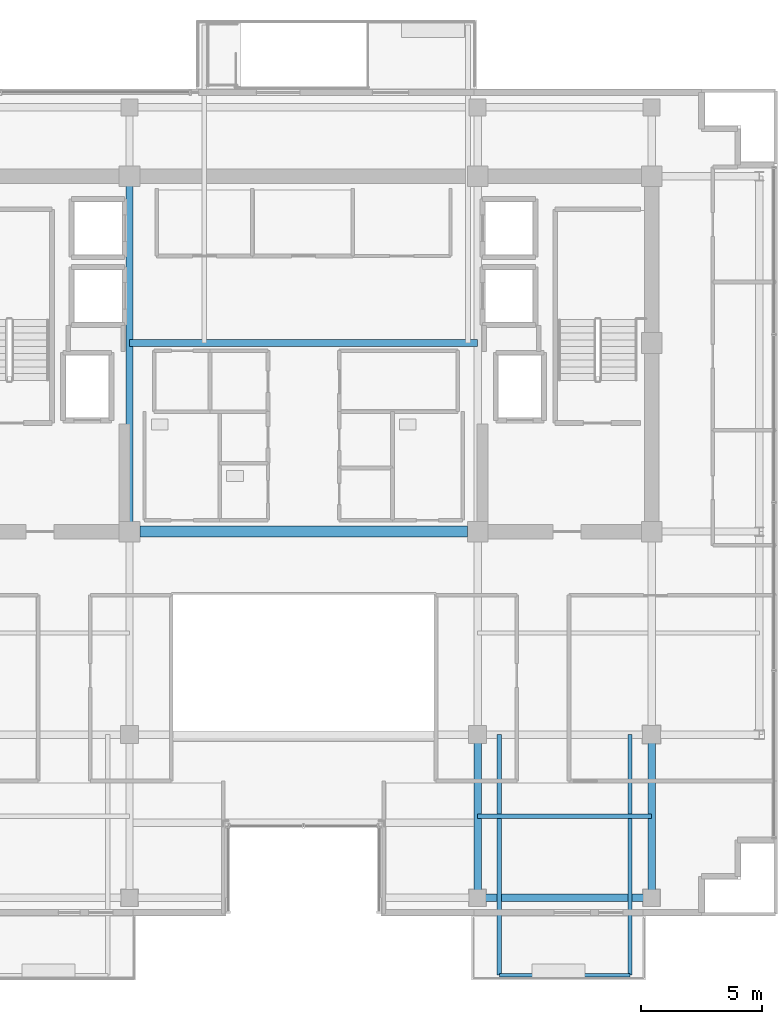
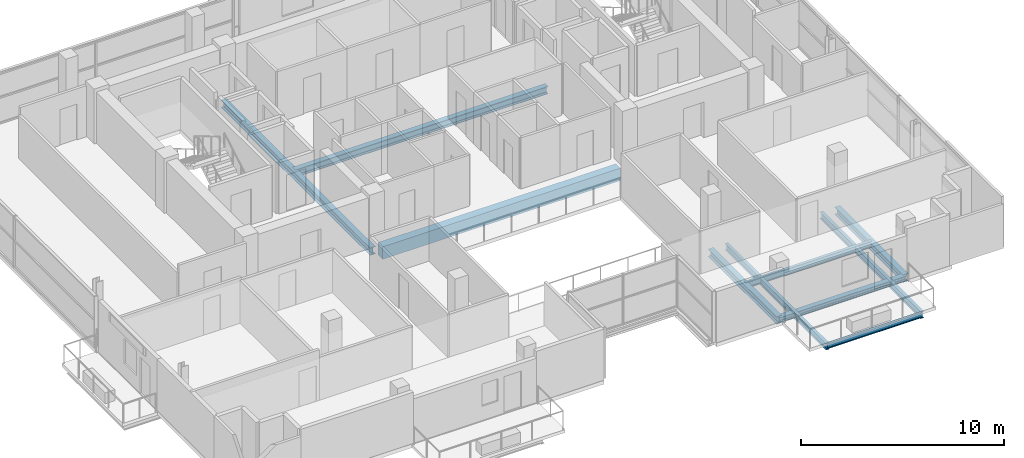
# One storey, part 7 of 24: 10 beams.
"""IFC4 building model written with IfcOpenShell, lengths in metres."""

from ifc_helpers import new_model, si_unit, direction, frame, origin, origin_2d, place, context, subcontext, project, spatial, rectangle, i_section, extrude, material, material_profile, profile_set, type_object, element, save


model = new_model("IFC4")

# Units and contexts
model_context = context("Model", 3, precision=1e-05, world=origin(), true_north=direction((0.0, 1.0)))
body_context = subcontext(model_context, "Body", "Model", "MODEL_VIEW")
ifc_project = project(units=[si_unit("LENGTHUNIT", "METRE"), si_unit("AREAUNIT", "SQUARE_METRE"), si_unit("VOLUMEUNIT", "CUBIC_METRE"), si_unit("PLANEANGLEUNIT", "RADIAN"), si_unit("MASSUNIT", "GRAM", prefix="KILO")], contexts=[model_context])

# Site, building, storey
site_placement = place(None, origin())
site = spatial("IfcSite", under=ifc_project, at=site_placement, CompositionType="ELEMENT")
building_placement = place(site_placement, origin())
building = spatial("IfcBuilding", under=site, at=building_placement, Name="Zarnakvel Exchange Tower", CompositionType="ELEMENT")
storey_placement = place(building_placement, frame((0.0, 0.0, 208.89990234375)))
storey = spatial("IfcBuildingStorey", under=building, at=storey_placement, Name="L58", CompositionType="ELEMENT", Elevation=208.89990234375)

# Beams
ifc_material_1 = material(Name="Steel S355", Category="steel")
ifc_material_profile_1 = material_profile(ifc_material_1, i_section(OverallWidth=0.179931640625, OverallDepth=0.39990234375, WebThickness=0.008544921875, FlangeThickness=0.013427734375, FilletRadius=0.02099609375, at=origin_2d()))
ifc_profile_set_1 = profile_set([ifc_material_profile_1], Name="Steel S355")
beam_type_1 = type_object("IfcBeamType", Name="B-06", PredefinedType="JOIST", material=ifc_profile_set_1)
for number, where, z_axis, x_axis, name in (
    (1, (8.10009765625, -9.60009765625, -0.4248046875), (0.0, -1.0, 0.0), (1.0, 0.0, 0.0), "L58 Continuous Back-Spanned Balcony Beam W"),
    (2, (13.5, -9.60009765625, -0.4248046875), (0.0, -1.0, 0.0), (1.0, 0.0, 0.0), "L58 Continuous Back-Spanned Balcony Beam E"),
):
    element("IfcBeam", number, at=place(storey_placement, frame(where, z_axis=z_axis, x_axis=x_axis)), inside=storey, type_object=beam_type_1, Name=name, PredefinedType="JOIST", context=body_context, shape_type="SweptSolid", body=[
        extrude(i_section(OverallWidth=0.179931640625, OverallDepth=0.39990234375, WebThickness=0.008544921875, FlangeThickness=0.013427734375, FilletRadius=0.02099609375, at=origin_2d()), origin(), (0.0, 0.0, 1.0), 9.949951171875),
    ])
ifc_material_profile_2 = material_profile(ifc_material_1, i_section(OverallWidth=0.169921875, OverallDepth=0.360107421875, WebThickness=0.008056640625, FlangeThickness=0.0126953125, FilletRadius=0.01806640625, at=origin_2d()))
ifc_profile_set_2 = profile_set([ifc_material_profile_2], Name="Steel S355")
beam_type_2 = type_object("IfcBeamType", Name="B-07", PredefinedType="JOIST", material=ifc_profile_set_2)
beam_1_placement = place(storey_placement, frame((7.199951171875, -12.97509765625, -0.40478515625), z_axis=(1.0, 0.0, 0.0), x_axis=(0.0, 1.0, 0.0)))
element("IfcBeam", 3, at=beam_1_placement, inside=storey, type_object=beam_type_2, Name="L58 Composite Floor Secondary Joist", PredefinedType="JOIST", context=body_context, shape_type="SweptSolid", body=[
    extrude(i_section(OverallWidth=0.169921875, OverallDepth=0.360107421875, WebThickness=0.008056640625, FlangeThickness=0.0126953125, FilletRadius=0.01806640625, at=origin_2d()), origin(), (0.0, 0.0, 1.0), 7.199951171875),
])
ifc_material_profile_3 = material_profile(ifc_material_1, i_section(OverallWidth=0.14990234375, OverallDepth=0.300048828125, WebThickness=0.007080078125, FlangeThickness=0.0107421875, FilletRadius=0.014892578125, at=origin_2d()))
ifc_profile_set_3 = profile_set([ifc_material_profile_3], Name="Steel S355")
beam_type_3 = type_object("IfcBeamType", Name="B-08", PredefinedType="JOIST", material=ifc_profile_set_3)
beam_2_placement = place(storey_placement, frame((8.10009765625, -19.550048828125, -0.375), z_axis=(1.0, 0.0, 0.0), x_axis=(0.0, 1.0, 0.0)))
element("IfcBeam", 4, at=beam_2_placement, inside=storey, type_object=beam_type_3, Name="L58 Balcony Edge Beam", PredefinedType="JOIST", context=body_context, shape_type="SweptSolid", body=[
    extrude(i_section(OverallWidth=0.14990234375, OverallDepth=0.300048828125, WebThickness=0.007080078125, FlangeThickness=0.0107421875, FilletRadius=0.014892578125, at=origin_2d()), origin(), (0.0, 0.0, 1.0), 5.39990234375),
])
ifc_material_2 = material(Name="Concrete C50/60", Category="concrete")
ifc_material_profile_4 = material_profile(ifc_material_2, rectangle(XDim=0.449951171875, YDim=0.75, at=origin_2d()))
ifc_profile_set_4 = profile_set([ifc_material_profile_4], Name="Concrete C50/60")
beam_type_4 = type_object("IfcBeamType", Name="CB-03", PredefinedType="LINTEL", material=ifc_profile_set_4)
beam_3_placement = place(storey_placement, frame((-6.77490234375, -1.199951171875, -0.599853515625), z_axis=(1.0, 0.0, 0.0), x_axis=(0.0, 1.0, 0.0)))
element("IfcBeam", 5, at=beam_3_placement, inside=storey, type_object=beam_type_4, Name="L58 Rear Core South Coupling Beam (CB-03)", PredefinedType="LINTEL", context=body_context, shape_type="SweptSolid", body=[
    extrude(rectangle(XDim=0.449951171875, YDim=0.75, at=origin_2d()), origin(), (0.0, 0.0, 1.0), 13.5498046875),
])
ifc_material_profile_5 = material_profile(ifc_material_1, i_section(OverallWidth=0.300048828125, OverallDepth=0.449951171875, WebThickness=0.013916015625, FlangeThickness=0.02587890625, FilletRadius=0.027099609375, at=origin_2d()))
ifc_profile_set_5 = profile_set([ifc_material_profile_5], Name="Steel S355")
beam_type_5 = type_object("IfcBeamType", Name="G-07", PredefinedType="BEAM", material=ifc_profile_set_5)
beam_4_placement = place(storey_placement, frame((-7.199951171875, -1.199951171875, -0.449951171875), z_axis=(0.0, 1.0, 0.0), x_axis=(-1.0, 0.0, 0.0)))
element("IfcBeam", 6, at=beam_4_placement, inside=storey, type_object=beam_type_5, Name="L58 Tower N-S Frame Beam", PredefinedType="BEAM", context=body_context, shape_type="SweptSolid", body=[
    extrude(i_section(OverallWidth=0.300048828125, OverallDepth=0.449951171875, WebThickness=0.013916015625, FlangeThickness=0.02587890625, FilletRadius=0.027099609375, at=origin_2d()), origin(), (0.0, 0.0, 1.0), 14.699951171875),
])
for number, where, z_axis, x_axis, name in (
    (7, (7.199951171875, -16.35009765625, -0.449951171875), (0.0, 1.0, 0.0), (-1.0, 0.0, 0.0), "L58 Tower N-S Frame Beam"),
    (8, (14.39990234375, -16.35009765625, -0.449951171875), (0.0, 1.0, 0.0), (-1.0, 0.0, 0.0), "L58 Tower N-S Frame Beam"),
):
    element("IfcBeam", number, at=place(storey_placement, frame(where, z_axis=z_axis, x_axis=x_axis)), inside=storey, type_object=beam_type_5, Name=name, PredefinedType="BEAM", context=body_context, shape_type="SweptSolid", body=[
        extrude(i_section(OverallWidth=0.300048828125, OverallDepth=0.449951171875, WebThickness=0.013916015625, FlangeThickness=0.02587890625, FilletRadius=0.027099609375, at=origin_2d()), origin(), (0.0, 0.0, 1.0), 6.75),
    ])
beam_5_placement = place(storey_placement, frame((-7.199951171875, 6.60009765625, -0.449951171875), z_axis=(1.0, 0.0, 0.0), x_axis=(0.0, 1.0, 0.0)))
element("IfcBeam", 9, at=beam_5_placement, inside=storey, type_object=beam_type_5, Name="L58 Core Central Lobby Mid Girder", PredefinedType="BEAM", context=body_context, shape_type="SweptSolid", body=[
    extrude(i_section(OverallWidth=0.300048828125, OverallDepth=0.449951171875, WebThickness=0.013916015625, FlangeThickness=0.02587890625, FilletRadius=0.027099609375, at=origin_2d()), origin(), (0.0, 0.0, 1.0), 14.39990234375),
])
ifc_material_profile_6 = material_profile(ifc_material_1, i_section(OverallWidth=0.300048828125, OverallDepth=0.300048828125, WebThickness=0.010986328125, FlangeThickness=0.01904296875, FilletRadius=0.027099609375, at=origin_2d()))
ifc_profile_set_6 = profile_set([ifc_material_profile_6], Name="Steel S355")
beam_type_6 = type_object("IfcBeamType", Name="SP-03", PredefinedType="SPANDREL", material=ifc_profile_set_6)
beam_6_placement = place(storey_placement, frame((7.199951171875, -16.35009765625, -0.375), z_axis=(1.0, 0.0, 0.0), x_axis=(0.0, 1.0, 0.0)))
element("IfcBeam", 10, at=beam_6_placement, inside=storey, type_object=beam_type_6, Name="L58 Tower E-W Frame Beam", PredefinedType="SPANDREL", context=body_context, shape_type="SweptSolid", body=[
    extrude(i_section(OverallWidth=0.300048828125, OverallDepth=0.300048828125, WebThickness=0.010986328125, FlangeThickness=0.01904296875, FilletRadius=0.027099609375, at=origin_2d()), origin(), (0.0, 0.0, 1.0), 7.199951171875),
])

save(model, "model.ifc")
